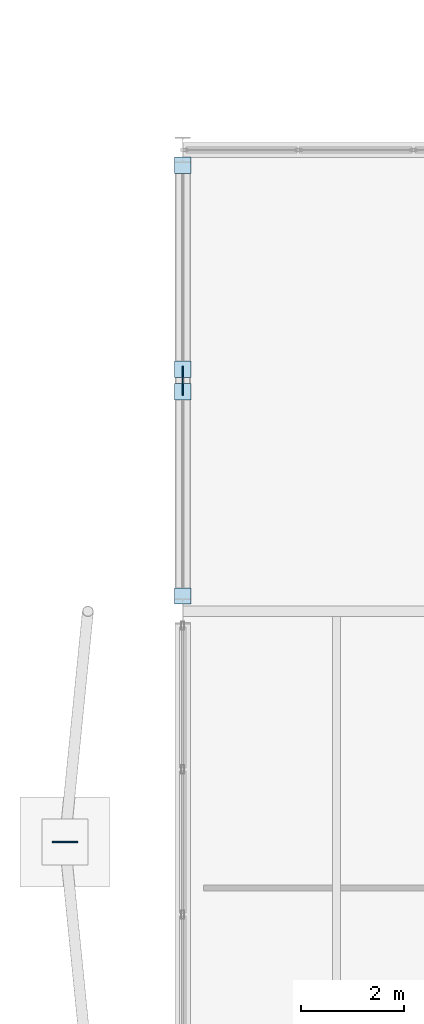
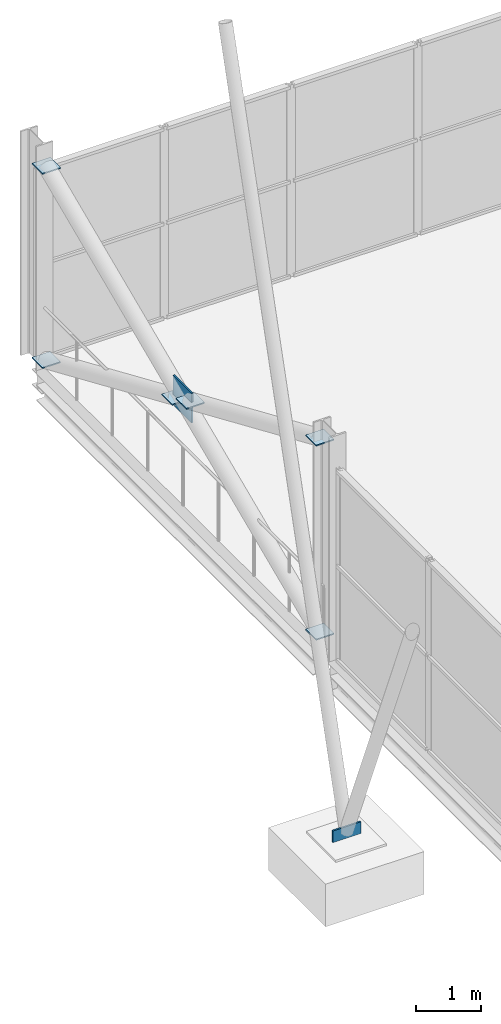
# One storey, part 113 of 140: 8 plates.
"""IFC4 building model written with IfcOpenShell, lengths in metres."""

from ifc_helpers import new_model, si_unit, direction, frame, origin, origin_2d, place, context, subcontext, project, spatial, rectangle, extrude, material, layer, layer_set, type_object, element, save


model = new_model("IFC4")

# Units and contexts
model_context = context("Model", 3, precision=1e-05, world=origin(), true_north=direction((0.0, 1.0)))
body_context = subcontext(model_context, "Body", "Model", "MODEL_VIEW")
ifc_project = project(units=[si_unit("LENGTHUNIT", "METRE"), si_unit("AREAUNIT", "SQUARE_METRE"), si_unit("VOLUMEUNIT", "CUBIC_METRE"), si_unit("PLANEANGLEUNIT", "RADIAN"), si_unit("MASSUNIT", "GRAM", prefix="KILO")], contexts=[model_context])

# Site, building, storey
site_placement = place(None, origin())
site = spatial("IfcSite", under=ifc_project, at=site_placement, CompositionType="ELEMENT")
building_placement = place(site_placement, origin())
building = spatial("IfcBuilding", under=site, at=building_placement, Name="Deido Ridge Mobility Hub", CompositionType="ELEMENT")
storey_placement = place(building_placement, origin())
storey = spatial("IfcBuildingStorey", under=building, at=storey_placement, Name="L00", CompositionType="ELEMENT", Elevation=0.0)

# Plates
ifc_material = material(Name="Steel S355J2 EN 10025-2", Category="steel")
ifc_layer_1 = layer(ifc_material, 0.02197265625, Name="Steel S355J2 EN 10025-2")
ifc_layer_set_1 = layer_set([ifc_layer_1], Name="Steel S355J2 EN 10025-2")
plate_type_1 = type_object("IfcPlateType", Name="PLT-CAP-22", PredefinedType="USERDEFINED", material=ifc_layer_set_1)
for number, where, z_axis, x_axis, name in (
    (1, (0.0, 72.300048828125, 0.1689453125), (0.0, 0.0, 1.0), (1.0, 0.0, 0.0), "Brace sealed end-cap plate EC2 85"),
    (2, (0.0, 80.699951171875, 3.80908203125), (0.0, 0.0, 1.0), (1.0, 0.0, 0.0), "Brace sealed end-cap plate EC2 86"),
    (3, (0.0, 80.699951171875, 0.1689453125), (0.0, 0.0, 1.0), (1.0, 0.0, 0.0), "Brace sealed end-cap plate EC2 87"),
    (4, (0.0, 72.300048828125, 3.80908203125), (0.0, 0.0, 1.0), (1.0, 0.0, 0.0), "Brace sealed end-cap plate EC2 88"),
    (5, (0.0, 76.72021484375, 1.8935546875), (0.0, 0.0, 1.0), (1.0, 0.0, 0.0), "Brace sealed end-cap plate EC2 89"),
    (6, (0.0, 76.27978515625, 2.08447265625), (0.0, 0.0, 1.0), (1.0, 0.0, 0.0), "Brace sealed end-cap plate EC2 90"),
):
    element("IfcPlate", number, at=place(storey_placement, frame(where, z_axis=z_axis, x_axis=x_axis)), inside=storey, type_object=plate_type_1, Name=name, ObjectType="END CAP PLATE", PredefinedType="USERDEFINED", context=body_context, shape_type="SweptSolid", body=[
        extrude(rectangle(XDim=0.320068359375, YDim=0.320068359375, at=origin_2d()), origin(), (0.0, 0.0, 1.0), 0.02197265625),
    ])
ifc_layer_2 = layer(ifc_material, 0.028076171875, Name="Steel S355J2 EN 10025-2")
ifc_layer_set_2 = layer_set([ifc_layer_2], Name="Steel S355J2 EN 10025-2")
plate_type_2 = type_object("IfcPlateType", Name="PLT-GUS-28", PredefinedType="USERDEFINED", material=ifc_layer_set_2)
plate_1_placement = place(storey_placement, frame((0.0, 76.5, 1.719970703125), z_axis=(0.0, 0.0, 1.0), x_axis=(0.0, 1.0, 0.0)))
element("IfcPlate", 7, at=plate_1_placement, inside=storey, type_object=plate_type_2, Name="X-brace central crossing gusset plate GP3 91", ObjectType="GUSSET PLATE", PredefinedType="USERDEFINED", context=body_context, shape_type="SweptSolid", body=[
    extrude(rectangle(XDim=0.56005859375, YDim=0.028076171875, at=origin_2d()), origin(), (0.0, 0.0, 1.0), 0.56005859375),
])
ifc_layer_3 = layer(ifc_material, 0.031982421875, Name="Steel S355J2 EN 10025-2")
ifc_layer_set_3 = layer_set([ifc_layer_3], Name="Steel S355J2 EN 10025-2")
plate_type_3 = type_object("IfcPlateType", Name="PLT-GUS-32", PredefinedType="USERDEFINED", material=ifc_layer_set_3)
plate_2_placement = place(storey_placement, frame((-2.300048828125, 67.5, 0.03515625), z_axis=(0.0, 0.0, 1.0), x_axis=(1.0, 0.0, 0.0)))
element("IfcPlate", 8, at=plate_2_placement, inside=storey, type_object=plate_type_3, Name="Exoskeleton V-strut pedestal gusset GP4 124", ObjectType="GUSSET PLATE", PredefinedType="USERDEFINED", context=body_context, shape_type="SweptSolid", body=[
    extrude(rectangle(XDim=0.5, YDim=0.031982421875, at=origin_2d()), origin(), (0.0, 0.0, 1.0), 0.219970703125),
])

save(model, "model.ifc")
